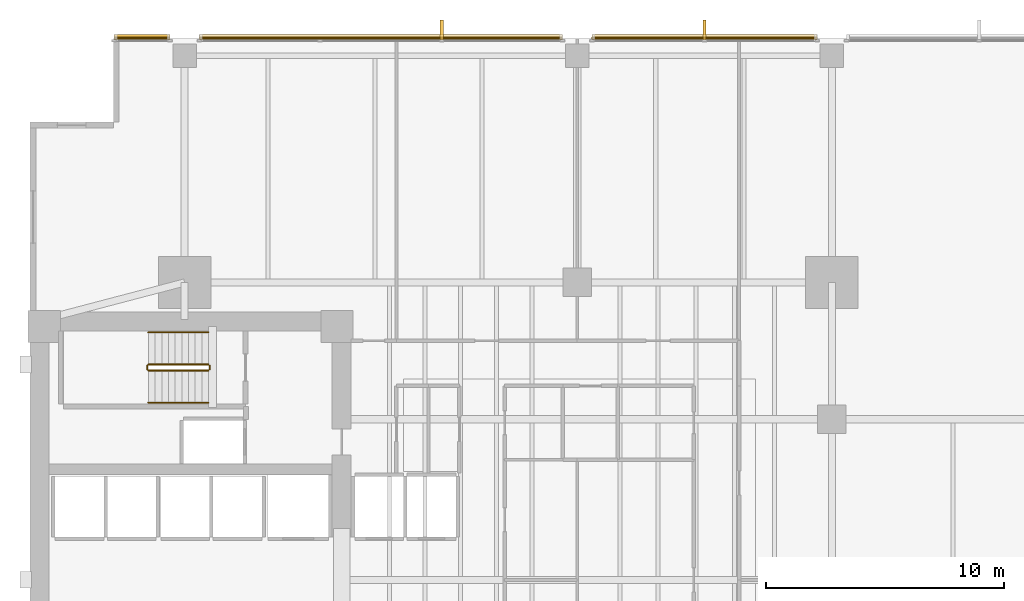
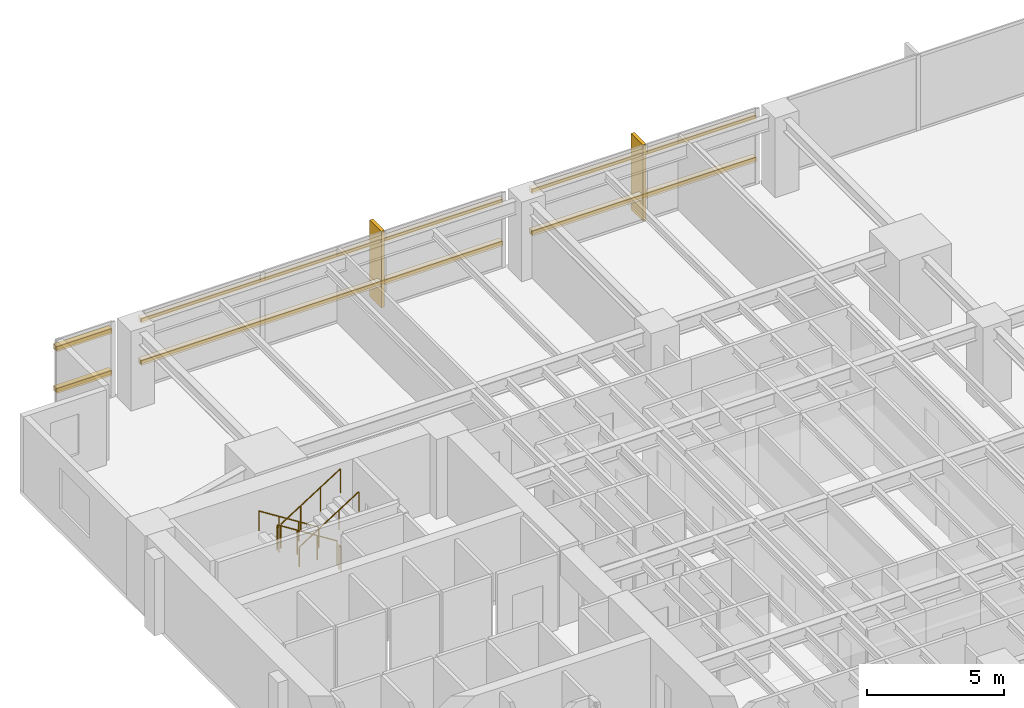
# One storey, part 14 of 15: 8 coverings, 6 railings, 6 shading devices.
"""IFC4 building model written with IfcOpenShell, lengths in metres."""

from ifc_helpers import new_model, si_unit, direction, frame, origin, origin_2d, place, context, subcontext, project, spatial, polyline, rectangle, circle, outline, extrude, material, layer, layer_set, material_profile, profile_set, type_object, element, save


model = new_model("IFC4")

# Units and contexts
model_context = context("Model", 3, precision=1e-05, world=origin(), true_north=direction((0.0, 1.0)))
body_context = subcontext(model_context, "Body", "Model", "MODEL_VIEW")
ifc_project = project(units=[si_unit("LENGTHUNIT", "METRE"), si_unit("AREAUNIT", "SQUARE_METRE"), si_unit("VOLUMEUNIT", "CUBIC_METRE"), si_unit("PLANEANGLEUNIT", "RADIAN"), si_unit("MASSUNIT", "GRAM", prefix="KILO")], contexts=[model_context])

# Site, building, storey
site_placement = place(None, origin())
site = spatial("IfcSite", under=ifc_project, at=site_placement, CompositionType="ELEMENT")
building_placement = place(site_placement, origin())
building = spatial("IfcBuilding", under=site, at=building_placement, Name="Kinhvarn Gate Tower", CompositionType="ELEMENT")
storey_placement = place(building_placement, frame((0.0, 0.0, 36.25)))
storey = spatial("IfcBuildingStorey", under=building, at=storey_placement, Name="L08", CompositionType="ELEMENT", Elevation=36.25)

# Coverings
ifc_material_1 = material(Name="Fired architectural terracotta", Category="masonry")
ifc_layer_1 = layer(ifc_material_1, 0.239990234375)
ifc_layer_set_1 = layer_set([ifc_layer_1], Name="Fired architectural terracotta")
covering_type_1 = type_object("IfcCoveringType", Name="COV-BAG-220", PredefinedType="CLADDING", material=ifc_layer_set_1)
for number, where, name in (
    (1, (0.0, 0.0, 0.93994140625), "Terracotta Horizontal Sunscreen Band TBG-220 (L08)"),
    (2, (0.0, 0.0, 2.81005859375), "Terracotta Horizontal Sunscreen Band TBG-220 (L08)"),
):
    element("IfcCovering", number, at=place(storey_placement, frame(where)), inside=storey, type_object=covering_type_1, Name=name, PredefinedType="CLADDING", context=body_context, shape_type="SweptSolid", body=[
        extrude(outline(polyline([(37.580078125, 47.93994140625), (28.1201171875, 47.93994140625), (28.1201171875, 48.179931640625), (37.580078125, 48.179931640625), (37.580078125, 47.93994140625)])), origin(), (0.0, 0.0, 1.0), 0.219970703125),
    ])
for number, where, name in (
    (3, (0.0, 0.0, 0.93994140625), "Terracotta Horizontal Sunscreen Band TBG-220 (L08)"),
    (4, (0.0, 0.0, 2.81005859375), "Terracotta Horizontal Sunscreen Band TBG-220 (L08)"),
):
    element("IfcCovering", number, at=place(storey_placement, frame(where)), inside=storey, type_object=covering_type_1, Name=name, PredefinedType="CLADDING", context=body_context, shape_type="SweptSolid", body=[
        extrude(outline(polyline([(26.8798828125, 47.93994140625), (11.6201171875, 47.93994140625), (11.6201171875, 48.179931640625), (26.8798828125, 48.179931640625), (26.8798828125, 47.93994140625)])), origin(), (0.0, 0.0, 1.0), 0.219970703125),
    ])
for number, where, name in (
    (5, (0.0, 0.0, 0.93994140625), "Terracotta Horizontal Sunscreen Band TBG-220 (L08)"),
    (6, (0.0, 0.0, 2.81005859375), "Terracotta Horizontal Sunscreen Band TBG-220 (L08)"),
):
    element("IfcCovering", number, at=place(storey_placement, frame(where)), inside=storey, type_object=covering_type_1, Name=name, PredefinedType="CLADDING", context=body_context, shape_type="SweptSolid", body=[
        extrude(outline(polyline([(10.3798828125, 47.93994140625), (8.0400390625, 47.93994140625), (8.0400390625, 48.179931640625), (10.3798828125, 48.179931640625), (10.3798828125, 47.93994140625)])), origin(), (0.0, 0.0, 1.0), 0.219970703125),
    ])
ifc_layer_2 = layer(ifc_material_1, 0.139892578125)
ifc_layer_set_2 = layer_set([ifc_layer_2], Name="Fired architectural terracotta")
covering_type_2 = type_object("IfcCoveringType", Name="COV-FIN-850", PredefinedType="CLADDING", material=ifc_layer_set_2)
covering_1_placement = place(storey_placement, frame((0.0, 0.0, -0.02001953125)))
element("IfcCovering", 7, at=covering_1_placement, inside=storey, type_object=covering_type_2, Name="Vertical Terracotta Expressive Fin TFN-850 (L08)", PredefinedType="CLADDING", context=body_context, shape_type="SweptSolid", body=[
    extrude(outline(polyline([(32.919921875, 47.929931640625), (32.780029296875, 47.929931640625), (32.780029296875, 48.780029296875), (32.919921875, 48.780029296875), (32.919921875, 47.929931640625)])), origin(), (0.0, 0.0, 1.0), 3.409912109375),
])
covering_2_placement = place(storey_placement, frame((0.0, 0.0, -0.02001953125)))
element("IfcCovering", 8, at=covering_2_placement, inside=storey, type_object=covering_type_2, Name="Vertical Terracotta Expressive Fin TFN-850 (L08)", PredefinedType="CLADDING", context=body_context, shape_type="SweptSolid", body=[
    extrude(outline(polyline([(21.876708984375, 47.929931640625), (21.73681640625, 47.929931640625), (21.73681640625, 48.780029296875), (21.876708984375, 48.780029296875), (21.876708984375, 47.929931640625)])), origin(), (0.0, 0.0, 1.0), 3.409912109375),
])

# Railings
ifc_material_2 = material(Name="Steel S355", Category="steel")
railing_type_1 = type_object("IfcRailingType", Name="RL-ST-GRD", PredefinedType="BALUSTRADE", material=ifc_material_2)
railing_1_placement = place(storey_placement, frame((12.0, 34.300048828125, 0.177490234375)))
element("IfcRailing", 9, at=railing_1_placement, inside=storey, type_object=railing_type_1, Name="L08 ST2 stair guard 1", PredefinedType="BALUSTRADE", context=body_context, shape_type="SweptSolid", body=[
    extrude(circle(Radius=0.02392578125, at=origin_2d()), frame((0.0, 0.0, 1.076171875), z_axis=(-0.84460694969, 0.0, 0.535386869969), x_axis=(0.0, -1.0, 0.0)), (0.0, 0.0, 1.0), 2.983642578125),
    extrude(circle(Radius=0.02099609375, at=origin_2d()), origin(), (0.0, 0.0, 1.0), 1.052001953125),
    extrude(circle(Radius=0.02099609375, at=origin_2d()), frame((-0.840087890625, 0.0, 0.532470703125)), (0.0, 0.0, 1.0), 1.052001953125),
    extrude(circle(Radius=0.02099609375, at=origin_2d()), frame((-1.679931640625, 0.0, 1.06494140625)), (0.0, 0.0, 1.0), 1.052001953125),
    extrude(circle(Radius=0.02099609375, at=origin_2d()), frame((-2.52001953125, 0.0, 1.597412109375)), (0.0, 0.0, 1.0), 1.052001953125),
])
railing_2_placement = place(storey_placement, frame((9.429931640625, 34.25, 1.77490234375)))
element("IfcRailing", 10, at=railing_2_placement, inside=storey, type_object=railing_type_1, Name="L08 ST2 stair guard 2", PredefinedType="BALUSTRADE", context=body_context, shape_type="SweptSolid", body=[
    extrude(circle(Radius=0.02392578125, at=origin_2d()), frame((0.0, 0.0, 1.076171875), z_axis=(0.0, -1.0, 0.0), x_axis=(1.0, 0.0, 0.0)), (0.0, 0.0, 1.0), 0.14990234375),
    extrude(circle(Radius=0.02099609375, at=origin_2d()), origin(), (0.0, 0.0, 1.0), 1.052001953125),
    extrude(circle(Radius=0.02099609375, at=origin_2d()), frame((0.0, -0.14990234375, 0.0)), (0.0, 0.0, 1.0), 1.052001953125),
])
railing_3_placement = place(storey_placement, frame((9.47998046875, 34.050048828125, 1.952392578125)))
element("IfcRailing", 11, at=railing_3_placement, inside=storey, type_object=railing_type_1, Name="L08 ST2 stair guard 3", PredefinedType="BALUSTRADE", context=body_context, shape_type="SweptSolid", body=[
    extrude(circle(Radius=0.02392578125, at=origin_2d()), frame((0.0, 0.0, 1.076171875), z_axis=(0.84456994832, 0.0, 0.535445237532), x_axis=(0.0, 1.0, 0.0)), (0.0, 0.0, 1.0), 2.98388671875),
    extrude(circle(Radius=0.02099609375, at=origin_2d()), origin(), (0.0, 0.0, 1.0), 1.052001953125),
    extrude(circle(Radius=0.02099609375, at=origin_2d()), frame((0.840087890625, 0.0, 0.532470703125)), (0.0, 0.0, 1.0), 1.052001953125),
    extrude(circle(Radius=0.02099609375, at=origin_2d()), frame((1.679931640625, 0.0, 1.065185546875)), (0.0, 0.0, 1.0), 1.052001953125),
    extrude(circle(Radius=0.02099609375, at=origin_2d()), frame((2.52001953125, 0.0, 1.59765625)), (0.0, 0.0, 1.0), 1.052001953125),
])
railing_4_placement = place(storey_placement, frame((12.050048828125, 34.25, 0.0)))
element("IfcRailing", 12, at=railing_4_placement, inside=storey, type_object=railing_type_1, Name="L08 ST2 stair guard 4", PredefinedType="BALUSTRADE", context=body_context, shape_type="SweptSolid", body=[
    extrude(circle(Radius=0.02392578125, at=origin_2d()), frame((0.0, 0.0, 1.076171875), z_axis=(0.0, -1.0, 0.0), x_axis=(1.0, 0.0, 0.0)), (0.0, 0.0, 1.0), 0.14990234375),
    extrude(circle(Radius=0.02099609375, at=origin_2d()), origin(), (0.0, 0.0, 1.0), 1.052001953125),
    extrude(circle(Radius=0.02099609375, at=origin_2d()), frame((0.0, -0.14990234375, 0.0)), (0.0, 0.0, 1.0), 1.052001953125),
])
railing_type_2 = type_object("IfcRailingType", Name="RL-ST-HND", PredefinedType="HANDRAIL", material=ifc_material_2)
railing_5_placement = place(storey_placement, frame((12.0, 35.64990234375, 0.177490234375)))
element("IfcRailing", 13, at=railing_5_placement, inside=storey, type_object=railing_type_2, Name="L08 ST2 stair handrail 1", PredefinedType="HANDRAIL", context=body_context, shape_type="SweptSolid", body=[
    extrude(circle(Radius=0.02392578125, at=origin_2d()), frame((0.0, 0.0, 0.8759765625), z_axis=(-0.84460694969, 0.0, 0.535386869969), x_axis=(0.0, -1.0, 0.0)), (0.0, 0.0, 1.0), 2.983642578125),
    extrude(circle(Radius=0.02099609375, at=origin_2d()), origin(), (0.0, 0.0, 1.0), 0.851806640625),
    extrude(circle(Radius=0.02099609375, at=origin_2d()), frame((-0.840087890625, 0.0, 0.532470703125)), (0.0, 0.0, 1.0), 0.851806640625),
    extrude(circle(Radius=0.02099609375, at=origin_2d()), frame((-1.679931640625, 0.0, 1.06494140625)), (0.0, 0.0, 1.0), 0.851806640625),
    extrude(circle(Radius=0.02099609375, at=origin_2d()), frame((-2.52001953125, 0.0, 1.597412109375)), (0.0, 0.0, 1.0), 0.851806640625),
])
railing_6_placement = place(storey_placement, frame((9.47998046875, 32.699951171875, 1.952392578125)))
element("IfcRailing", 14, at=railing_6_placement, inside=storey, type_object=railing_type_2, Name="L08 ST2 stair handrail 2", PredefinedType="HANDRAIL", context=body_context, shape_type="SweptSolid", body=[
    extrude(circle(Radius=0.02392578125, at=origin_2d()), frame((0.0, 0.0, 0.8759765625), z_axis=(0.84456994832, 0.0, 0.535445237532), x_axis=(0.0, 1.0, 0.0)), (0.0, 0.0, 1.0), 2.98388671875),
    extrude(circle(Radius=0.02099609375, at=origin_2d()), origin(), (0.0, 0.0, 1.0), 0.851806640625),
    extrude(circle(Radius=0.02099609375, at=origin_2d()), frame((0.840087890625, 0.0, 0.532470703125)), (0.0, 0.0, 1.0), 0.851806640625),
    extrude(circle(Radius=0.02099609375, at=origin_2d()), frame((1.679931640625, 0.0, 1.065185546875)), (0.0, 0.0, 1.0), 0.851806640625),
    extrude(circle(Radius=0.02099609375, at=origin_2d()), frame((2.52001953125, 0.0, 1.59765625)), (0.0, 0.0, 1.0), 0.851806640625),
])

# Shading devices
ifc_material_profile = material_profile(ifc_material_1, rectangle(XDim=0.06005859375, YDim=0.139892578125, at=origin_2d()), Name="TC 60x140")
ifc_profile_set = profile_set([ifc_material_profile], Name="Fired architectural terracotta")
shading_device_type = type_object("IfcShadingDeviceType", Name="SHD-BAG-180", PredefinedType="USERDEFINED", material=ifc_profile_set)
for number, where, z_axis, x_axis, name in (
    (15, (37.580078125, 48.014892578125, 1.050048828125), (-1.0, 0.0, 0.0), (0.0, -1.0, 0.0), "Fired Terracotta Baguette Screen Rod 60x140 mm (L08)"),
    (16, (37.580078125, 48.014892578125, 2.919921875), (-1.0, 0.0, 0.0), (0.0, -1.0, 0.0), "Fired Terracotta Baguette Screen Rod 60x140 mm (L08)"),
):
    element("IfcShadingDevice", number, at=place(storey_placement, frame(where, z_axis=z_axis, x_axis=x_axis)), inside=storey, type_object=shading_device_type, Name=name, ObjectType="BAGUETTE", PredefinedType="USERDEFINED", context=body_context, shape_type="SweptSolid", body=[
        extrude(rectangle(XDim=0.06005859375, YDim=0.139892578125, at=origin_2d()), origin(), (0.0, 0.0, 1.0), 9.4599609375),
    ])
for number, where, z_axis, x_axis, name in (
    (17, (26.8798828125, 48.014892578125, 1.050048828125), (-1.0, 0.0, 0.0), (0.0, -1.0, 0.0), "Fired Terracotta Baguette Screen Rod 60x140 mm (L08)"),
    (18, (26.8798828125, 48.014892578125, 2.919921875), (-1.0, 0.0, 0.0), (0.0, -1.0, 0.0), "Fired Terracotta Baguette Screen Rod 60x140 mm (L08)"),
):
    element("IfcShadingDevice", number, at=place(storey_placement, frame(where, z_axis=z_axis, x_axis=x_axis)), inside=storey, type_object=shading_device_type, Name=name, ObjectType="BAGUETTE", PredefinedType="USERDEFINED", context=body_context, shape_type="SweptSolid", body=[
        extrude(rectangle(XDim=0.06005859375, YDim=0.139892578125, at=origin_2d()), origin(), (0.0, 0.0, 1.0), 15.259765625),
    ])
for number, where, z_axis, x_axis, name in (
    (19, (10.3798828125, 48.014892578125, 1.050048828125), (-1.0, 0.0, 0.0), (0.0, -1.0, 0.0), "Fired Terracotta Baguette Screen Rod 60x140 mm (L08)"),
    (20, (10.3798828125, 48.014892578125, 2.919921875), (-1.0, 0.0, 0.0), (0.0, -1.0, 0.0), "Fired Terracotta Baguette Screen Rod 60x140 mm (L08)"),
):
    element("IfcShadingDevice", number, at=place(storey_placement, frame(where, z_axis=z_axis, x_axis=x_axis)), inside=storey, type_object=shading_device_type, Name=name, ObjectType="BAGUETTE", PredefinedType="USERDEFINED", context=body_context, shape_type="SweptSolid", body=[
        extrude(rectangle(XDim=0.06005859375, YDim=0.139892578125, at=origin_2d()), origin(), (0.0, 0.0, 1.0), 2.33984375),
    ])

save(model, "model.ifc")
